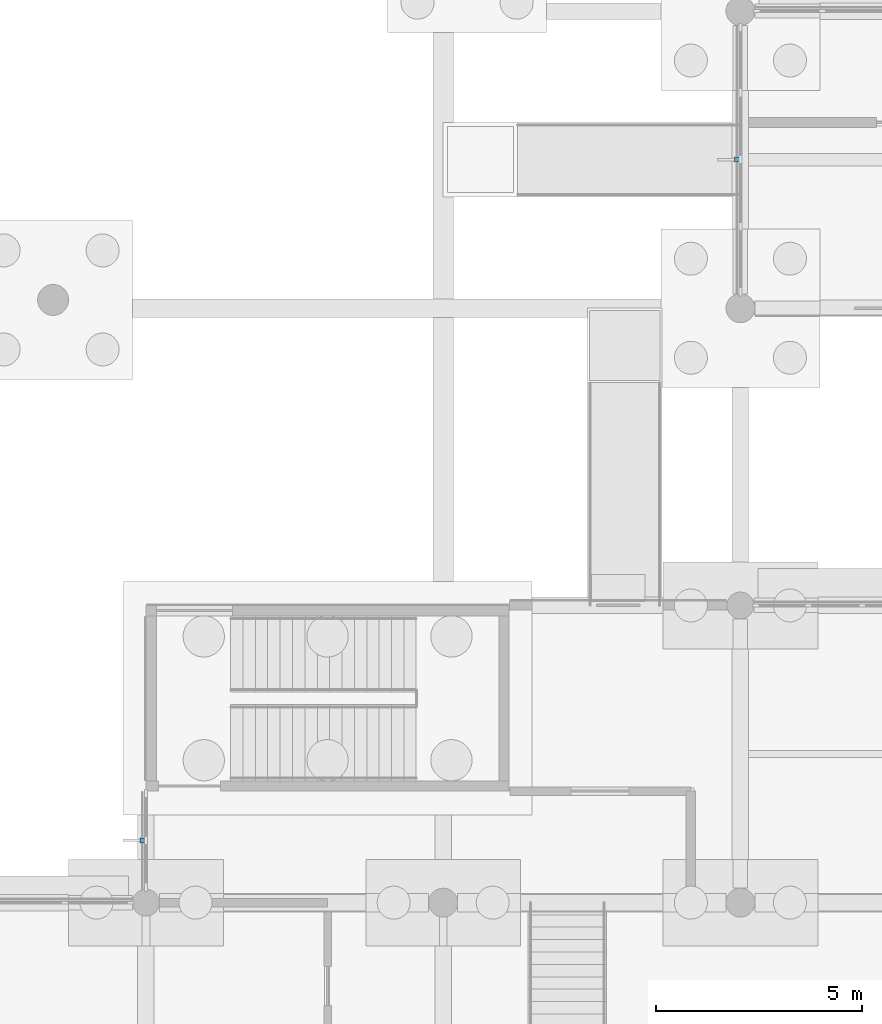
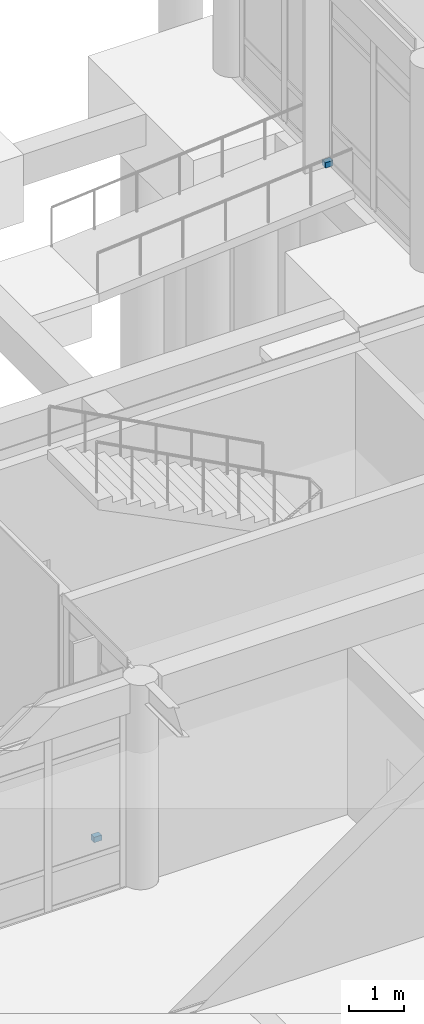
# One storey, part 70 of 103: 2 discrete accessories.
"""IFC4 building model written with IfcOpenShell, lengths in metres."""

from ifc_helpers import new_model, si_unit, direction, frame, origin, origin_2d, place, context, subcontext, project, spatial, rectangle, extrude, material, type_object, element, save


model = new_model("IFC4")

# Units and contexts
model_context = context("Model", 3, precision=1e-05, world=origin(), true_north=direction((0.0, 1.0)))
body_context = subcontext(model_context, "Body", "Model", "MODEL_VIEW")
ifc_project = project(units=[si_unit("LENGTHUNIT", "METRE"), si_unit("AREAUNIT", "SQUARE_METRE"), si_unit("VOLUMEUNIT", "CUBIC_METRE"), si_unit("PLANEANGLEUNIT", "RADIAN"), si_unit("MASSUNIT", "GRAM", prefix="KILO")], contexts=[model_context])

# Site, building, storey
site_placement = place(None, origin())
site = spatial("IfcSite", under=ifc_project, at=site_placement, CompositionType="ELEMENT")
building_placement = place(site_placement, origin())
building = spatial("IfcBuilding", under=site, at=building_placement, Name="Namkhue Oval Health Centre", CompositionType="ELEMENT")
storey_placement = place(building_placement, origin())
storey = spatial("IfcBuildingStorey", under=building, at=storey_placement, Name="L00", CompositionType="ELEMENT", Elevation=0.0)

# Discrete accessories
ifc_material = material(Name="Structural steel S355JR (TCVN CCT38)", Category="steel")
discrete_accessory_type = type_object("IfcDiscreteAccessoryType", Name="FACADE SHADING BRACKET", PredefinedType="BRACKET", material=ifc_material)
for number, where, z_axis, x_axis, name in (
    (1, (21.5400390625, 77.10888671875, 0.0), (0.0, 0.0, 1.0), (-1.0, 0.0, 0.0), "Solar Fin Bracket 16"),
    (2, (35.93994140625, 93.60009765625, 0.0), (0.0, 0.0, 1.0), (-1.0, 0.0, 0.0), "Solar Fin Bracket 59"),
):
    element("IfcDiscreteAccessory", number, at=place(storey_placement, frame(where, z_axis=z_axis, x_axis=x_axis)), inside=storey, type_object=discrete_accessory_type, Name=name, PredefinedType="BRACKET", context=body_context, shape_type="SweptSolid", body=[
        extrude(rectangle(XDim=0.159912109375, YDim=0.1201171875, at=origin_2d()), origin(), (0.0, 0.0, 1.0), 0.1201171875),
    ])

save(model, "model.ifc")
